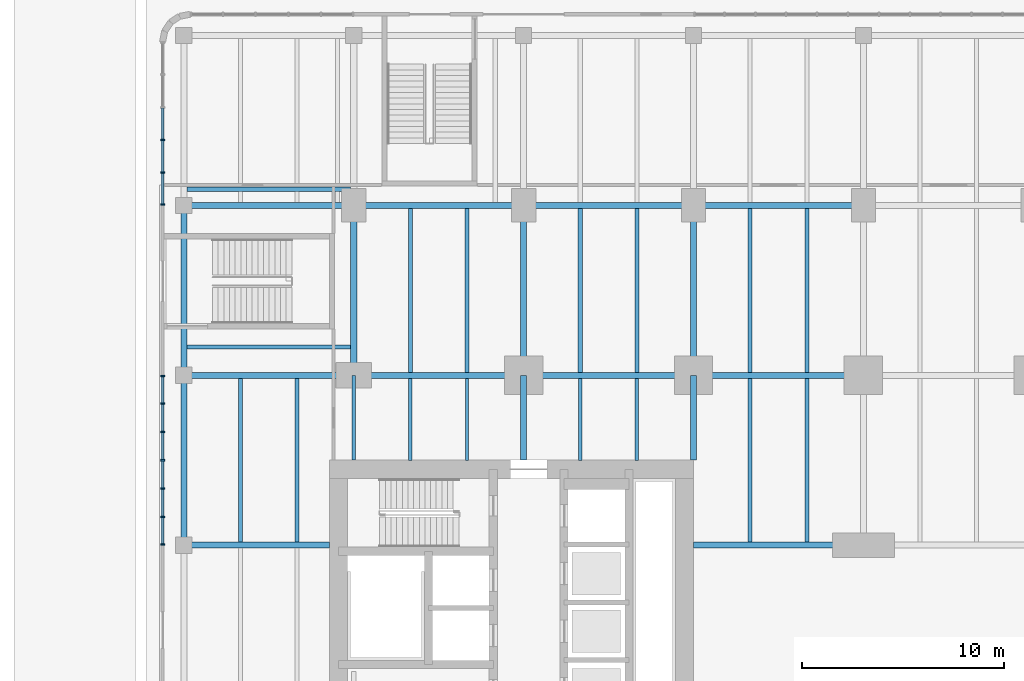
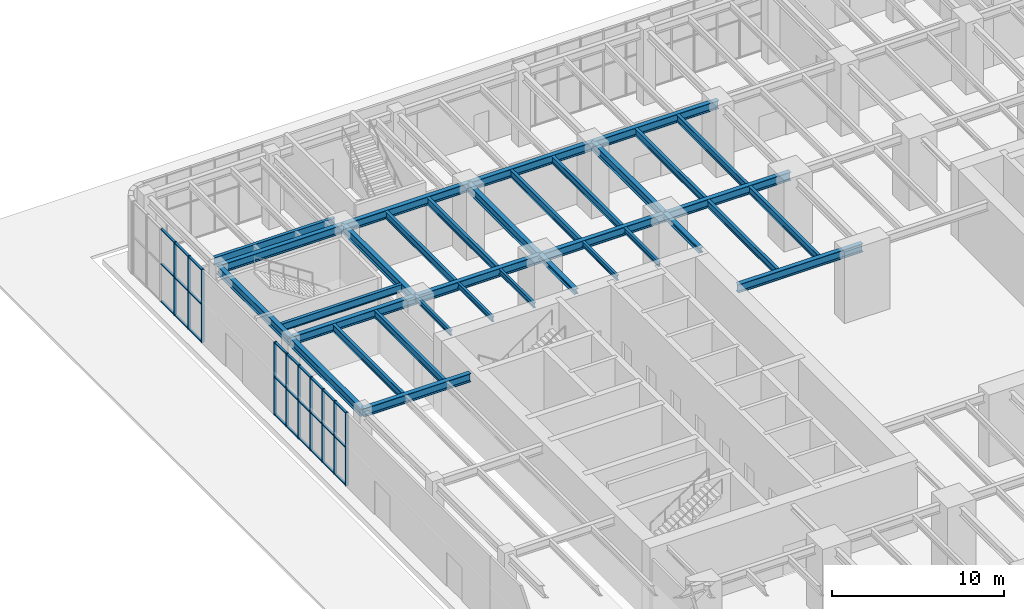
# One storey, part 7 of 31: 37 members, 34 beams, 2 elements without a shape of their own.
"""IFC4 building model written with IfcOpenShell, lengths in metres."""

from ifc_helpers import new_model, si_unit, direction, frame, origin, origin_2d, place, context, subcontext, project, spatial, rectangle, i_section, extrude, material, material_profile, profile_set, type_object, element, aggregate, save


model = new_model("IFC4")

# Units and contexts
model_context = context("Model", 3, precision=1e-05, world=origin(), true_north=direction((0.0, 1.0)))
body_context = subcontext(model_context, "Body", "Model", "MODEL_VIEW")
ifc_project = project(units=[si_unit("LENGTHUNIT", "METRE"), si_unit("AREAUNIT", "SQUARE_METRE"), si_unit("VOLUMEUNIT", "CUBIC_METRE"), si_unit("PLANEANGLEUNIT", "RADIAN"), si_unit("MASSUNIT", "GRAM", prefix="KILO")], contexts=[model_context])

# Site, building, storey
site_placement = place(None, origin())
site = spatial("IfcSite", under=ifc_project, at=site_placement, CompositionType="ELEMENT")
building_placement = place(site_placement, origin())
building = spatial("IfcBuilding", under=site, at=building_placement, Name="Claustro Exchange Tower", CompositionType="ELEMENT")
storey_placement = place(building_placement, origin())
storey = spatial("IfcBuildingStorey", under=building, at=storey_placement, Name="L00", CompositionType="ELEMENT", Elevation=0.0)

# Beams
ifc_material_1 = material(Name="Steel S355", Category="steel")
ifc_material_profile_1 = material_profile(ifc_material_1, i_section(OverallWidth=0.300048828125, OverallDepth=0.60009765625, WebThickness=0.015380859375, FlangeThickness=0.030029296875, FilletRadius=0.027099609375, at=origin_2d()), Name="HE 600 B")
ifc_profile_set_1 = profile_set([ifc_material_profile_1], Name="Steel S355")
beam_type_1 = type_object("IfcBeamType", Name="B1 HE 600 B floor girder", PredefinedType="BEAM", material=ifc_profile_set_1)
for number, where, z_axis, x_axis, name in (
    (1, (-8.39990234375, 33.60009765625, 4.89990234375), (0.0, 1.0, 0.0), (-1.0, 0.0, 0.0), "Beam B1 L01"),
    (2, (-8.39990234375, 42.0, 4.89990234375), (0.0, 1.0, 0.0), (-1.0, 0.0, 0.0), "Beam B1 L01"),
    (3, (0.0, 42.0, 4.89990234375), (0.0, 1.0, 0.0), (-1.0, 0.0, 0.0), "Beam B1 L01"),
    (4, (8.39990234375, 42.0, 4.89990234375), (0.0, 1.0, 0.0), (-1.0, 0.0, 0.0), "Beam B1 L01"),
    (5, (16.800048828125, 42.0, 4.89990234375), (0.0, 1.0, 0.0), (-1.0, 0.0, 0.0), "Beam B1 L01"),
):
    element("IfcBeam", number, at=place(storey_placement, frame(where, z_axis=z_axis, x_axis=x_axis)), inside=storey, type_object=beam_type_1, Name=name, PredefinedType="BEAM", context=body_context, shape_type="SweptSolid", body=[
        extrude(i_section(OverallWidth=0.300048828125, OverallDepth=0.60009765625, WebThickness=0.015380859375, FlangeThickness=0.030029296875, FilletRadius=0.027099609375, at=origin_2d()), origin(), (0.0, 0.0, 1.0), 8.39990234375),
    ])
beam_1_placement = place(storey_placement, frame((-8.39990234375, 33.60009765625, 4.89990234375), z_axis=(1.0, 0.0, 0.0), x_axis=(0.0, 1.0, 0.0)))
element("IfcBeam", 6, at=beam_1_placement, inside=storey, type_object=beam_type_1, Name="Beam B1 L01", PredefinedType="BEAM", context=body_context, shape_type="SweptSolid", body=[
    extrude(i_section(OverallWidth=0.300048828125, OverallDepth=0.60009765625, WebThickness=0.015380859375, FlangeThickness=0.030029296875, FilletRadius=0.027099609375, at=origin_2d()), origin(), (0.0, 0.0, 1.0), 7.199951171875),
])
for number, where, z_axis, x_axis, name in (
    (7, (16.800048828125, 33.60009765625, 4.89990234375), (1.0, 0.0, 0.0), (0.0, 1.0, 0.0), "Beam B1 L01"),
    (8, (-8.39990234375, 42.0, 4.89990234375), (1.0, 0.0, 0.0), (0.0, 1.0, 0.0), "Beam B1 L01"),
    (9, (0.0, 42.0, 4.89990234375), (1.0, 0.0, 0.0), (0.0, 1.0, 0.0), "Beam B1 L01"),
):
    element("IfcBeam", number, at=place(storey_placement, frame(where, z_axis=z_axis, x_axis=x_axis)), inside=storey, type_object=beam_type_1, Name=name, PredefinedType="BEAM", context=body_context, shape_type="SweptSolid", body=[
        extrude(i_section(OverallWidth=0.300048828125, OverallDepth=0.60009765625, WebThickness=0.015380859375, FlangeThickness=0.030029296875, FilletRadius=0.027099609375, at=origin_2d()), origin(), (0.0, 0.0, 1.0), 8.39990234375),
    ])
beam_2_placement = place(storey_placement, frame((8.39990234375, 42.0, 4.89990234375), z_axis=(1.0, 0.0, 0.0), x_axis=(0.0, 1.0, 0.0)))
element("IfcBeam", 10, at=beam_2_placement, inside=storey, type_object=beam_type_1, Name="Beam B1 L01", PredefinedType="BEAM", context=body_context, shape_type="SweptSolid", body=[
    extrude(i_section(OverallWidth=0.300048828125, OverallDepth=0.60009765625, WebThickness=0.015380859375, FlangeThickness=0.030029296875, FilletRadius=0.027099609375, at=origin_2d()), origin(), (0.0, 0.0, 1.0), 8.400146484375),
])
for number, where, z_axis, x_axis, name in (
    (11, (16.800048828125, 42.0, 4.89990234375), (1.0, 0.0, 0.0), (0.0, 1.0, 0.0), "Beam B1 L01"),
    (12, (-8.39990234375, 50.39990234375, 4.89990234375), (1.0, 0.0, 0.0), (0.0, 1.0, 0.0), "Beam B1 L01"),
    (13, (0.0, 50.39990234375, 4.89990234375), (1.0, 0.0, 0.0), (0.0, 1.0, 0.0), "Beam B1 L01"),
):
    element("IfcBeam", number, at=place(storey_placement, frame(where, z_axis=z_axis, x_axis=x_axis)), inside=storey, type_object=beam_type_1, Name=name, PredefinedType="BEAM", context=body_context, shape_type="SweptSolid", body=[
        extrude(i_section(OverallWidth=0.300048828125, OverallDepth=0.60009765625, WebThickness=0.015380859375, FlangeThickness=0.030029296875, FilletRadius=0.027099609375, at=origin_2d()), origin(), (0.0, 0.0, 1.0), 8.39990234375),
    ])
beam_3_placement = place(storey_placement, frame((8.39990234375, 50.39990234375, 4.89990234375), z_axis=(1.0, 0.0, 0.0), x_axis=(0.0, 1.0, 0.0)))
element("IfcBeam", 14, at=beam_3_placement, inside=storey, type_object=beam_type_1, Name="Beam B1 L01", PredefinedType="BEAM", context=body_context, shape_type="SweptSolid", body=[
    extrude(i_section(OverallWidth=0.300048828125, OverallDepth=0.60009765625, WebThickness=0.015380859375, FlangeThickness=0.030029296875, FilletRadius=0.027099609375, at=origin_2d()), origin(), (0.0, 0.0, 1.0), 8.400146484375),
])
beam_4_placement = place(storey_placement, frame((16.800048828125, 50.39990234375, 4.89990234375), z_axis=(1.0, 0.0, 0.0), x_axis=(0.0, 1.0, 0.0)))
element("IfcBeam", 15, at=beam_4_placement, inside=storey, type_object=beam_type_1, Name="Beam B1 L01", PredefinedType="BEAM", context=body_context, shape_type="SweptSolid", body=[
    extrude(i_section(OverallWidth=0.300048828125, OverallDepth=0.60009765625, WebThickness=0.015380859375, FlangeThickness=0.030029296875, FilletRadius=0.027099609375, at=origin_2d()), origin(), (0.0, 0.0, 1.0), 8.39990234375),
])
ifc_material_2 = material(Name="Steel S355", Category="steel")
ifc_material_profile_2 = material_profile(ifc_material_2, i_section(OverallWidth=0.169921875, OverallDepth=0.360107421875, WebThickness=0.008056640625, FlangeThickness=0.0126953125, FilletRadius=0.01806640625, at=origin_2d()), Name="IPE 360")
ifc_profile_set_2 = profile_set([ifc_material_profile_2], Name="Steel S355")
beam_type_2 = type_object("IfcBeamType", Name="B16 IPE 360 short-span beam", PredefinedType="BEAM", material=ifc_profile_set_2)
beam_5_placement = place(storey_placement, frame((0.0, 37.800048828125, 5.02001953125), z_axis=(0.0, 1.0, 0.0), x_axis=(-1.0, 0.0, 0.0)))
element("IfcBeam", 16, at=beam_5_placement, inside=storey, type_object=beam_type_2, Name="Beam B16 L01", PredefinedType="BEAM", context=body_context, shape_type="SweptSolid", body=[
    extrude(i_section(OverallWidth=0.169921875, OverallDepth=0.360107421875, WebThickness=0.008056640625, FlangeThickness=0.0126953125, FilletRadius=0.01806640625, at=origin_2d()), origin(), (0.0, 0.0, 1.0), 4.199951171875),
])
for number, where, z_axis, x_axis, name in (
    (17, (2.800048828125, 37.7900390625, 5.02001953125), (0.0, 1.0, 0.0), (-1.0, 0.0, 0.0), "Beam B16 L01"),
    (18, (5.60009765625, 37.7900390625, 5.02001953125), (0.0, 1.0, 0.0), (-1.0, 0.0, 0.0), "Beam B16 L01"),
    (19, (11.199951171875, 37.7900390625, 5.02001953125), (0.0, 1.0, 0.0), (-1.0, 0.0, 0.0), "Beam B16 L01"),
    (20, (14.0, 37.7900390625, 5.02001953125), (0.0, 1.0, 0.0), (-1.0, 0.0, 0.0), "Beam B16 L01"),
):
    element("IfcBeam", number, at=place(storey_placement, frame(where, z_axis=z_axis, x_axis=x_axis)), inside=storey, type_object=beam_type_2, Name=name, PredefinedType="BEAM", context=body_context, shape_type="SweptSolid", body=[
        extrude(i_section(OverallWidth=0.169921875, OverallDepth=0.360107421875, WebThickness=0.008056640625, FlangeThickness=0.0126953125, FilletRadius=0.01806640625, at=origin_2d()), origin(), (0.0, 0.0, 1.0), 4.06005859375),
    ])
ifc_material_3 = material(Name="Steel S355", Category="steel")
ifc_material_profile_3 = material_profile(ifc_material_3, i_section(OverallWidth=0.199951171875, OverallDepth=0.5, WebThickness=0.01025390625, FlangeThickness=0.01611328125, FilletRadius=0.02099609375, at=origin_2d()), Name="IPE 500")
ifc_profile_set_3 = profile_set([ifc_material_profile_3], Name="Steel S355")
beam_type_3 = type_object("IfcBeamType", Name="B2 IPE 500 secondary beam", PredefinedType="BEAM", material=ifc_profile_set_3)
for number, where, z_axis, x_axis, name in (
    (21, (-5.60009765625, 33.75, 4.949951171875), (0.0, 1.0, 0.0), (-1.0, 0.0, 0.0), "Beam B2 L01"),
    (22, (-2.800048828125, 33.75, 4.949951171875), (0.0, 1.0, 0.0), (-1.0, 0.0, 0.0), "Beam B2 L01"),
    (23, (2.800048828125, 42.14990234375, 4.949951171875), (0.0, 1.0, 0.0), (-1.0, 0.0, 0.0), "Beam B2 L01"),
    (24, (5.60009765625, 42.14990234375, 4.949951171875), (0.0, 1.0, 0.0), (-1.0, 0.0, 0.0), "Beam B2 L01"),
    (25, (11.199951171875, 42.14990234375, 4.949951171875), (0.0, 1.0, 0.0), (-1.0, 0.0, 0.0), "Beam B2 L01"),
    (26, (14.0, 42.14990234375, 4.949951171875), (0.0, 1.0, 0.0), (-1.0, 0.0, 0.0), "Beam B2 L01"),
    (27, (19.60009765625, 33.75, 4.949951171875), (0.0, 1.0, 0.0), (-1.0, 0.0, 0.0), "Beam B2 L01"),
    (28, (22.39990234375, 33.75, 4.949951171875), (0.0, 1.0, 0.0), (-1.0, 0.0, 0.0), "Beam B2 L01"),
    (29, (19.60009765625, 42.14990234375, 4.949951171875), (0.0, 1.0, 0.0), (-1.0, 0.0, 0.0), "Beam B2 L01"),
    (30, (22.39990234375, 42.14990234375, 4.949951171875), (0.0, 1.0, 0.0), (-1.0, 0.0, 0.0), "Beam B2 L01"),
):
    element("IfcBeam", number, at=place(storey_placement, frame(where, z_axis=z_axis, x_axis=x_axis)), inside=storey, type_object=beam_type_3, Name=name, PredefinedType="BEAM", context=body_context, shape_type="SweptSolid", body=[
        extrude(i_section(OverallWidth=0.199951171875, OverallDepth=0.5, WebThickness=0.01025390625, FlangeThickness=0.01611328125, FilletRadius=0.02099609375, at=origin_2d()), origin(), (0.0, 0.0, 1.0), 8.10009765625),
    ])
ifc_material_4 = material(Name="Steel S355", Category="steel")
ifc_material_profile_4 = material_profile(ifc_material_4, i_section(OverallWidth=0.2099609375, OverallDepth=0.550048828125, WebThickness=0.010986328125, FlangeThickness=0.01708984375, FilletRadius=0.02392578125, at=origin_2d()), Name="IPE 550")
ifc_profile_set_4 = profile_set([ifc_material_profile_4], Name="Steel S355")
beam_type_4 = type_object("IfcBeamType", Name="B28 IPE 550 podium stair trimmer", PredefinedType="BEAM", material=ifc_profile_set_4)
for number, where, z_axis, x_axis, name in (
    (31, (-8.25, 43.39990234375, 4.925048828125), (1.0, 0.0, 0.0), (0.0, 1.0, 0.0), "Beam B28 trimmer STP5 L01"),
    (32, (-8.25, 51.199951171875, 4.925048828125), (1.0, 0.0, 0.0), (0.0, 1.0, 0.0), "Beam B28 trimmer STP5 L01"),
):
    element("IfcBeam", number, at=place(storey_placement, frame(where, z_axis=z_axis, x_axis=x_axis)), inside=storey, type_object=beam_type_4, Name=name, PredefinedType="BEAM", context=body_context, shape_type="SweptSolid", body=[
        extrude(i_section(OverallWidth=0.2099609375, OverallDepth=0.550048828125, WebThickness=0.010986328125, FlangeThickness=0.01708984375, FilletRadius=0.02392578125, at=origin_2d()), origin(), (0.0, 0.0, 1.0), 8.10009765625),
    ])
ifc_material_5 = material(Name="Steel S355", Category="steel")
ifc_material_profile_5 = material_profile(ifc_material_5, i_section(OverallWidth=0.300048828125, OverallDepth=0.360107421875, WebThickness=0.012451171875, FlangeThickness=0.0224609375, FilletRadius=0.027099609375, at=origin_2d()), Name="HE 360 B")
ifc_profile_set_5 = profile_set([ifc_material_profile_5], Name="Steel S355")
beam_type_5 = type_object("IfcBeamType", Name="B29 HE 360 B column to core link beam", PredefinedType="BEAM", material=ifc_profile_set_5)
for number, where, z_axis, x_axis, name in (
    (33, (8.39990234375, 37.800048828125, 5.02001953125), (0.0, 1.0, 0.0), (-1.0, 0.0, 0.0), "Beam B29 L01"),
    (34, (16.800048828125, 37.800048828125, 5.02001953125), (0.0, 1.0, 0.0), (-1.0, 0.0, 0.0), "Beam B29 L01"),
):
    element("IfcBeam", number, at=place(storey_placement, frame(where, z_axis=z_axis, x_axis=x_axis)), inside=storey, type_object=beam_type_5, Name=name, PredefinedType="BEAM", context=body_context, shape_type="SweptSolid", body=[
        extrude(i_section(OverallWidth=0.300048828125, OverallDepth=0.360107421875, WebThickness=0.012451171875, FlangeThickness=0.0224609375, FilletRadius=0.027099609375, at=origin_2d()), origin(), (0.0, 0.0, 1.0), 4.199951171875),
    ])

# Curtain wall, members
ifc_material_6 = material(Name="Aluminium frame, clear double glazing", Category="aluminium")
curtain_wall_type = type_object("IfcCurtainWallType", Name="CW1 storefront curtain wall", PredefinedType="USERDEFINED", material=ifc_material_6)
curtain_wall_1_placement = place(storey_placement, origin())
curtain_wall_1 = element("IfcCurtainWall", 35, at=curtain_wall_1_placement, inside=storey, type_object=curtain_wall_type, Name="Curtain wall CW1 L00", ObjectType="STICK CURTAIN WALL", PredefinedType="USERDEFINED")
ifc_material_7 = material(Name="Aluminium mullion", Category="aluminium")
ifc_material_profile_6 = material_profile(ifc_material_7, rectangle(XDim=0.199951171875, YDim=0.074951171875, at=origin_2d()), Name="CW1-M 75x200")
ifc_profile_set_6 = profile_set([ifc_material_profile_6], Name="Aluminium mullion")
member_type_1 = type_object("IfcMemberType", Name="CW1-M 75 x 200 mullion", PredefinedType="MULLION", material=ifc_profile_set_6)
member_1_placement = place(storey_placement, frame((-9.449951171875, 33.637451171875, 0.0), z_axis=(0.0, 0.0, 1.0), x_axis=(-1.0, 0.0, 0.0)))
member_1 = element("IfcMember", 36, at=member_1_placement, type_object=member_type_1, Name="CW1 mullion 1", PredefinedType="MULLION", context=body_context, shape_type="SweptSolid", body=[
    extrude(rectangle(XDim=0.199951171875, YDim=0.074951171875, at=origin_2d()), origin(), (0.0, 0.0, 1.0), 5.199951171875),
])
member_2_placement = place(storey_placement, frame((-9.449951171875, 35.0, 0.0), z_axis=(0.0, 0.0, 1.0), x_axis=(-1.0, 0.0, 0.0)))
member_2 = element("IfcMember", 37, at=member_2_placement, type_object=member_type_1, Name="CW1 mullion 2", PredefinedType="MULLION", context=body_context, shape_type="SweptSolid", body=[
    extrude(rectangle(XDim=0.199951171875, YDim=0.074951171875, at=origin_2d()), origin(), (0.0, 0.0, 1.0), 5.199951171875),
])
member_3_placement = place(storey_placement, frame((-9.449951171875, 36.39990234375, 0.0), z_axis=(0.0, 0.0, 1.0), x_axis=(-1.0, 0.0, 0.0)))
member_3 = element("IfcMember", 38, at=member_3_placement, type_object=member_type_1, Name="CW1 mullion 3", PredefinedType="MULLION", context=body_context, shape_type="SweptSolid", body=[
    extrude(rectangle(XDim=0.199951171875, YDim=0.074951171875, at=origin_2d()), origin(), (0.0, 0.0, 1.0), 5.199951171875),
])
member_4_placement = place(storey_placement, frame((-9.449951171875, 37.800048828125, 0.0), z_axis=(0.0, 0.0, 1.0), x_axis=(-1.0, 0.0, 0.0)))
member_4 = element("IfcMember", 39, at=member_4_placement, type_object=member_type_1, Name="CW1 mullion 4", PredefinedType="MULLION", context=body_context, shape_type="SweptSolid", body=[
    extrude(rectangle(XDim=0.199951171875, YDim=0.074951171875, at=origin_2d()), origin(), (0.0, 0.0, 1.0), 5.199951171875),
])
member_5_placement = place(storey_placement, frame((-9.449951171875, 39.199951171875, 0.0), z_axis=(0.0, 0.0, 1.0), x_axis=(-1.0, 0.0, 0.0)))
member_5 = element("IfcMember", 40, at=member_5_placement, type_object=member_type_1, Name="CW1 mullion 5", PredefinedType="MULLION", context=body_context, shape_type="SweptSolid", body=[
    extrude(rectangle(XDim=0.199951171875, YDim=0.074951171875, at=origin_2d()), origin(), (0.0, 0.0, 1.0), 5.199951171875),
])
member_6_placement = place(storey_placement, frame((-9.449951171875, 40.60009765625, 0.0), z_axis=(0.0, 0.0, 1.0), x_axis=(-1.0, 0.0, 0.0)))
member_6 = element("IfcMember", 41, at=member_6_placement, type_object=member_type_1, Name="CW1 mullion 6", PredefinedType="MULLION", context=body_context, shape_type="SweptSolid", body=[
    extrude(rectangle(XDim=0.199951171875, YDim=0.074951171875, at=origin_2d()), origin(), (0.0, 0.0, 1.0), 5.199951171875),
])
member_7_placement = place(storey_placement, frame((-9.449951171875, 41.96240234375, 0.0), z_axis=(0.0, 0.0, 1.0), x_axis=(-1.0, 0.0, 0.0)))
member_7 = element("IfcMember", 42, at=member_7_placement, type_object=member_type_1, Name="CW1 mullion 7", PredefinedType="MULLION", context=body_context, shape_type="SweptSolid", body=[
    extrude(rectangle(XDim=0.199951171875, YDim=0.074951171875, at=origin_2d()), origin(), (0.0, 0.0, 1.0), 5.199951171875),
])

curtain_wall_2_placement = place(storey_placement, origin())
curtain_wall_2 = element("IfcCurtainWall", 43, at=curtain_wall_2_placement, inside=storey, type_object=curtain_wall_type, Name="Curtain wall CW1 L00", ObjectType="STICK CURTAIN WALL", PredefinedType="USERDEFINED")
member_8_placement = place(storey_placement, frame((-9.449951171875, 50.4375, 0.0), z_axis=(0.0, 0.0, 1.0), x_axis=(-1.0, 0.0, 0.0)))
member_8 = element("IfcMember", 44, at=member_8_placement, type_object=member_type_1, Name="CW1 mullion 1", PredefinedType="MULLION", context=body_context, shape_type="SweptSolid", body=[
    extrude(rectangle(XDim=0.199951171875, YDim=0.074951171875, at=origin_2d()), origin(), (0.0, 0.0, 1.0), 5.199951171875),
])
member_9_placement = place(storey_placement, frame((-9.449951171875, 52.01708984375, 0.0), z_axis=(0.0, 0.0, 1.0), x_axis=(-1.0, 0.0, 0.0)))
member_9 = element("IfcMember", 45, at=member_9_placement, type_object=member_type_1, Name="CW1 mullion 2", PredefinedType="MULLION", context=body_context, shape_type="SweptSolid", body=[
    extrude(rectangle(XDim=0.199951171875, YDim=0.074951171875, at=origin_2d()), origin(), (0.0, 0.0, 1.0), 5.199951171875),
])
member_10_placement = place(storey_placement, frame((-9.449951171875, 53.634033203125, 0.0), z_axis=(0.0, 0.0, 1.0), x_axis=(-1.0, 0.0, 0.0)))
member_10 = element("IfcMember", 46, at=member_10_placement, type_object=member_type_1, Name="CW1 mullion 3", PredefinedType="MULLION", context=body_context, shape_type="SweptSolid", body=[
    extrude(rectangle(XDim=0.199951171875, YDim=0.074951171875, at=origin_2d()), origin(), (0.0, 0.0, 1.0), 5.199951171875),
])

# Member
ifc_material_8 = material(Name="Aluminium transom", Category="aluminium")
ifc_material_profile_7 = material_profile(ifc_material_8, rectangle(XDim=0.14990234375, YDim=0.074951171875, at=origin_2d()), Name="CW1-T 75x150")
ifc_profile_set_7 = profile_set([ifc_material_profile_7], Name="Aluminium transom")
member_type_2 = type_object("IfcMemberType", Name="CW1-T 75 x 150 transom", PredefinedType="USERDEFINED", material=ifc_profile_set_7)
member_11_placement = place(storey_placement, frame((-9.449951171875, 33.675048828125, 0.03759765625), z_axis=(0.0, 1.0, 0.0), x_axis=(-1.0, 0.0, 0.0)))
member_11 = element("IfcMember", 47, at=member_11_placement, type_object=member_type_2, Name="CW1 transom 1.1", ObjectType="TRANSOM", PredefinedType="USERDEFINED", context=body_context, shape_type="SweptSolid", body=[
    extrude(rectangle(XDim=0.14990234375, YDim=0.074951171875, at=origin_2d()), origin(), (0.0, 0.0, 1.0), 1.287353515625),
])

member_12_placement = place(storey_placement, frame((-9.449951171875, 33.675048828125, 2.699951171875), z_axis=(0.0, 1.0, 0.0), x_axis=(-1.0, 0.0, 0.0)))
member_12 = element("IfcMember", 48, at=member_12_placement, type_object=member_type_2, Name="CW1 transom 1.2", ObjectType="TRANSOM", PredefinedType="USERDEFINED", context=body_context, shape_type="SweptSolid", body=[
    extrude(rectangle(XDim=0.14990234375, YDim=0.074951171875, at=origin_2d()), origin(), (0.0, 0.0, 1.0), 1.287353515625),
])

member_13_placement = place(storey_placement, frame((-9.449951171875, 33.675048828125, 5.16259765625), z_axis=(0.0, 1.0, 0.0), x_axis=(-1.0, 0.0, 0.0)))
member_13 = element("IfcMember", 49, at=member_13_placement, type_object=member_type_2, Name="CW1 transom 1.3", ObjectType="TRANSOM", PredefinedType="USERDEFINED", context=body_context, shape_type="SweptSolid", body=[
    extrude(rectangle(XDim=0.14990234375, YDim=0.074951171875, at=origin_2d()), origin(), (0.0, 0.0, 1.0), 1.287353515625),
])

member_14_placement = place(storey_placement, frame((-9.449951171875, 35.03759765625, 0.03759765625), z_axis=(0.0, 1.0, 0.0), x_axis=(-1.0, 0.0, 0.0)))
member_14 = element("IfcMember", 50, at=member_14_placement, type_object=member_type_2, Name="CW1 transom 2.1", ObjectType="TRANSOM", PredefinedType="USERDEFINED", context=body_context, shape_type="SweptSolid", body=[
    extrude(rectangle(XDim=0.14990234375, YDim=0.074951171875, at=origin_2d()), origin(), (0.0, 0.0, 1.0), 1.324951171875),
])

member_15_placement = place(storey_placement, frame((-9.449951171875, 35.03759765625, 2.699951171875), z_axis=(0.0, 1.0, 0.0), x_axis=(-1.0, 0.0, 0.0)))
member_15 = element("IfcMember", 51, at=member_15_placement, type_object=member_type_2, Name="CW1 transom 2.2", ObjectType="TRANSOM", PredefinedType="USERDEFINED", context=body_context, shape_type="SweptSolid", body=[
    extrude(rectangle(XDim=0.14990234375, YDim=0.074951171875, at=origin_2d()), origin(), (0.0, 0.0, 1.0), 1.324951171875),
])

member_16_placement = place(storey_placement, frame((-9.449951171875, 35.03759765625, 5.16259765625), z_axis=(0.0, 1.0, 0.0), x_axis=(-1.0, 0.0, 0.0)))
member_16 = element("IfcMember", 52, at=member_16_placement, type_object=member_type_2, Name="CW1 transom 2.3", ObjectType="TRANSOM", PredefinedType="USERDEFINED", context=body_context, shape_type="SweptSolid", body=[
    extrude(rectangle(XDim=0.14990234375, YDim=0.074951171875, at=origin_2d()), origin(), (0.0, 0.0, 1.0), 1.324951171875),
])

member_17_placement = place(storey_placement, frame((-9.449951171875, 36.4375, 0.03759765625), z_axis=(0.0, 1.0, 0.0), x_axis=(-1.0, 0.0, 0.0)))
member_17 = element("IfcMember", 53, at=member_17_placement, type_object=member_type_2, Name="CW1 transom 3.1", ObjectType="TRANSOM", PredefinedType="USERDEFINED", context=body_context, shape_type="SweptSolid", body=[
    extrude(rectangle(XDim=0.14990234375, YDim=0.074951171875, at=origin_2d()), origin(), (0.0, 0.0, 1.0), 1.324951171875),
])

member_18_placement = place(storey_placement, frame((-9.449951171875, 36.4375, 2.699951171875), z_axis=(0.0, 1.0, 0.0), x_axis=(-1.0, 0.0, 0.0)))
member_18 = element("IfcMember", 54, at=member_18_placement, type_object=member_type_2, Name="CW1 transom 3.2", ObjectType="TRANSOM", PredefinedType="USERDEFINED", context=body_context, shape_type="SweptSolid", body=[
    extrude(rectangle(XDim=0.14990234375, YDim=0.074951171875, at=origin_2d()), origin(), (0.0, 0.0, 1.0), 1.324951171875),
])

member_19_placement = place(storey_placement, frame((-9.449951171875, 36.4375, 5.16259765625), z_axis=(0.0, 1.0, 0.0), x_axis=(-1.0, 0.0, 0.0)))
member_19 = element("IfcMember", 55, at=member_19_placement, type_object=member_type_2, Name="CW1 transom 3.3", ObjectType="TRANSOM", PredefinedType="USERDEFINED", context=body_context, shape_type="SweptSolid", body=[
    extrude(rectangle(XDim=0.14990234375, YDim=0.074951171875, at=origin_2d()), origin(), (0.0, 0.0, 1.0), 1.324951171875),
])

member_20_placement = place(storey_placement, frame((-9.449951171875, 37.83740234375, 0.03759765625), z_axis=(0.0, 1.0, 0.0), x_axis=(-1.0, 0.0, 0.0)))
member_20 = element("IfcMember", 56, at=member_20_placement, type_object=member_type_2, Name="CW1 transom 4.1", ObjectType="TRANSOM", PredefinedType="USERDEFINED", context=body_context, shape_type="SweptSolid", body=[
    extrude(rectangle(XDim=0.14990234375, YDim=0.074951171875, at=origin_2d()), origin(), (0.0, 0.0, 1.0), 1.3251953125),
])

member_21_placement = place(storey_placement, frame((-9.449951171875, 37.83740234375, 2.699951171875), z_axis=(0.0, 1.0, 0.0), x_axis=(-1.0, 0.0, 0.0)))
member_21 = element("IfcMember", 57, at=member_21_placement, type_object=member_type_2, Name="CW1 transom 4.2", ObjectType="TRANSOM", PredefinedType="USERDEFINED", context=body_context, shape_type="SweptSolid", body=[
    extrude(rectangle(XDim=0.14990234375, YDim=0.074951171875, at=origin_2d()), origin(), (0.0, 0.0, 1.0), 1.3251953125),
])

member_22_placement = place(storey_placement, frame((-9.449951171875, 37.83740234375, 5.16259765625), z_axis=(0.0, 1.0, 0.0), x_axis=(-1.0, 0.0, 0.0)))
member_22 = element("IfcMember", 58, at=member_22_placement, type_object=member_type_2, Name="CW1 transom 4.3", ObjectType="TRANSOM", PredefinedType="USERDEFINED", context=body_context, shape_type="SweptSolid", body=[
    extrude(rectangle(XDim=0.14990234375, YDim=0.074951171875, at=origin_2d()), origin(), (0.0, 0.0, 1.0), 1.3251953125),
])

member_23_placement = place(storey_placement, frame((-9.449951171875, 39.237548828125, 0.03759765625), z_axis=(0.0, 1.0, 0.0), x_axis=(-1.0, 0.0, 0.0)))
member_23 = element("IfcMember", 59, at=member_23_placement, type_object=member_type_2, Name="CW1 transom 5.1", ObjectType="TRANSOM", PredefinedType="USERDEFINED", context=body_context, shape_type="SweptSolid", body=[
    extrude(rectangle(XDim=0.14990234375, YDim=0.074951171875, at=origin_2d()), origin(), (0.0, 0.0, 1.0), 1.324951171875),
])

member_24_placement = place(storey_placement, frame((-9.449951171875, 39.237548828125, 2.699951171875), z_axis=(0.0, 1.0, 0.0), x_axis=(-1.0, 0.0, 0.0)))
member_24 = element("IfcMember", 60, at=member_24_placement, type_object=member_type_2, Name="CW1 transom 5.2", ObjectType="TRANSOM", PredefinedType="USERDEFINED", context=body_context, shape_type="SweptSolid", body=[
    extrude(rectangle(XDim=0.14990234375, YDim=0.074951171875, at=origin_2d()), origin(), (0.0, 0.0, 1.0), 1.324951171875),
])

member_25_placement = place(storey_placement, frame((-9.449951171875, 39.237548828125, 5.16259765625), z_axis=(0.0, 1.0, 0.0), x_axis=(-1.0, 0.0, 0.0)))
member_25 = element("IfcMember", 61, at=member_25_placement, type_object=member_type_2, Name="CW1 transom 5.3", ObjectType="TRANSOM", PredefinedType="USERDEFINED", context=body_context, shape_type="SweptSolid", body=[
    extrude(rectangle(XDim=0.14990234375, YDim=0.074951171875, at=origin_2d()), origin(), (0.0, 0.0, 1.0), 1.324951171875),
])

member_26_placement = place(storey_placement, frame((-9.449951171875, 40.637451171875, 0.03759765625), z_axis=(0.0, 1.0, 0.0), x_axis=(-1.0, 0.0, 0.0)))
member_26 = element("IfcMember", 62, at=member_26_placement, type_object=member_type_2, Name="CW1 transom 6.1", ObjectType="TRANSOM", PredefinedType="USERDEFINED", context=body_context, shape_type="SweptSolid", body=[
    extrude(rectangle(XDim=0.14990234375, YDim=0.074951171875, at=origin_2d()), origin(), (0.0, 0.0, 1.0), 1.28759765625),
])

member_27_placement = place(storey_placement, frame((-9.449951171875, 40.637451171875, 2.699951171875), z_axis=(0.0, 1.0, 0.0), x_axis=(-1.0, 0.0, 0.0)))
member_27 = element("IfcMember", 63, at=member_27_placement, type_object=member_type_2, Name="CW1 transom 6.2", ObjectType="TRANSOM", PredefinedType="USERDEFINED", context=body_context, shape_type="SweptSolid", body=[
    extrude(rectangle(XDim=0.14990234375, YDim=0.074951171875, at=origin_2d()), origin(), (0.0, 0.0, 1.0), 1.28759765625),
])

member_28_placement = place(storey_placement, frame((-9.449951171875, 40.637451171875, 5.16259765625), z_axis=(0.0, 1.0, 0.0), x_axis=(-1.0, 0.0, 0.0)))
member_28 = element("IfcMember", 64, at=member_28_placement, type_object=member_type_2, Name="CW1 transom 6.3", ObjectType="TRANSOM", PredefinedType="USERDEFINED", context=body_context, shape_type="SweptSolid", body=[
    extrude(rectangle(XDim=0.14990234375, YDim=0.074951171875, at=origin_2d()), origin(), (0.0, 0.0, 1.0), 1.28759765625),
])

aggregate(curtain_wall_1, [member_1, member_2, member_3, member_4, member_5, member_6, member_7, member_11, member_12, member_13, member_14, member_15, member_16, member_17, member_18, member_19, member_20, member_21, member_22, member_23, member_24, member_25, member_26, member_27, member_28])

member_29_placement = place(storey_placement, frame((-9.449951171875, 50.47509765625, 0.03759765625), z_axis=(0.0, 1.0, 0.0), x_axis=(-1.0, 0.0, 0.0)))
member_29 = element("IfcMember", 65, at=member_29_placement, type_object=member_type_2, Name="CW1 transom 1.1", ObjectType="TRANSOM", PredefinedType="USERDEFINED", context=body_context, shape_type="SweptSolid", body=[
    extrude(rectangle(XDim=0.14990234375, YDim=0.074951171875, at=origin_2d()), origin(), (0.0, 0.0, 1.0), 1.50439453125),
])

member_30_placement = place(storey_placement, frame((-9.449951171875, 50.47509765625, 2.699951171875), z_axis=(0.0, 1.0, 0.0), x_axis=(-1.0, 0.0, 0.0)))
member_30 = element("IfcMember", 66, at=member_30_placement, type_object=member_type_2, Name="CW1 transom 1.2", ObjectType="TRANSOM", PredefinedType="USERDEFINED", context=body_context, shape_type="SweptSolid", body=[
    extrude(rectangle(XDim=0.14990234375, YDim=0.074951171875, at=origin_2d()), origin(), (0.0, 0.0, 1.0), 1.50439453125),
])

member_31_placement = place(storey_placement, frame((-9.449951171875, 50.47509765625, 5.16259765625), z_axis=(0.0, 1.0, 0.0), x_axis=(-1.0, 0.0, 0.0)))
member_31 = element("IfcMember", 67, at=member_31_placement, type_object=member_type_2, Name="CW1 transom 1.3", ObjectType="TRANSOM", PredefinedType="USERDEFINED", context=body_context, shape_type="SweptSolid", body=[
    extrude(rectangle(XDim=0.14990234375, YDim=0.074951171875, at=origin_2d()), origin(), (0.0, 0.0, 1.0), 1.50439453125),
])

member_32_placement = place(storey_placement, frame((-9.449951171875, 52.054443359375, 0.03759765625), z_axis=(0.0, 1.0, 0.0), x_axis=(-1.0, 0.0, 0.0)))
member_32 = element("IfcMember", 68, at=member_32_placement, type_object=member_type_2, Name="CW1 transom 2.1", ObjectType="TRANSOM", PredefinedType="USERDEFINED", context=body_context, shape_type="SweptSolid", body=[
    extrude(rectangle(XDim=0.14990234375, YDim=0.074951171875, at=origin_2d()), origin(), (0.0, 0.0, 1.0), 1.542236328125),
])

member_33_placement = place(storey_placement, frame((-9.449951171875, 52.054443359375, 2.699951171875), z_axis=(0.0, 1.0, 0.0), x_axis=(-1.0, 0.0, 0.0)))
member_33 = element("IfcMember", 69, at=member_33_placement, type_object=member_type_2, Name="CW1 transom 2.2", ObjectType="TRANSOM", PredefinedType="USERDEFINED", context=body_context, shape_type="SweptSolid", body=[
    extrude(rectangle(XDim=0.14990234375, YDim=0.074951171875, at=origin_2d()), origin(), (0.0, 0.0, 1.0), 1.542236328125),
])

member_34_placement = place(storey_placement, frame((-9.449951171875, 52.054443359375, 5.16259765625), z_axis=(0.0, 1.0, 0.0), x_axis=(-1.0, 0.0, 0.0)))
member_34 = element("IfcMember", 70, at=member_34_placement, type_object=member_type_2, Name="CW1 transom 2.3", ObjectType="TRANSOM", PredefinedType="USERDEFINED", context=body_context, shape_type="SweptSolid", body=[
    extrude(rectangle(XDim=0.14990234375, YDim=0.074951171875, at=origin_2d()), origin(), (0.0, 0.0, 1.0), 1.542236328125),
])

member_35_placement = place(storey_placement, frame((-9.449951171875, 53.671630859375, 0.03759765625), z_axis=(0.0, 1.0, 0.0), x_axis=(-1.0, 0.0, 0.0)))
member_35 = element("IfcMember", 71, at=member_35_placement, type_object=member_type_2, Name="CW1 transom 3.1", ObjectType="TRANSOM", PredefinedType="USERDEFINED", context=body_context, shape_type="SweptSolid", body=[
    extrude(rectangle(XDim=0.14990234375, YDim=0.074951171875, at=origin_2d()), origin(), (0.0, 0.0, 1.0), 1.5419921875),
])

member_36_placement = place(storey_placement, frame((-9.449951171875, 53.671630859375, 2.699951171875), z_axis=(0.0, 1.0, 0.0), x_axis=(-1.0, 0.0, 0.0)))
member_36 = element("IfcMember", 72, at=member_36_placement, type_object=member_type_2, Name="CW1 transom 3.2", ObjectType="TRANSOM", PredefinedType="USERDEFINED", context=body_context, shape_type="SweptSolid", body=[
    extrude(rectangle(XDim=0.14990234375, YDim=0.074951171875, at=origin_2d()), origin(), (0.0, 0.0, 1.0), 1.5419921875),
])

member_37_placement = place(storey_placement, frame((-9.449951171875, 53.671630859375, 5.16259765625), z_axis=(0.0, 1.0, 0.0), x_axis=(-1.0, 0.0, 0.0)))
member_37 = element("IfcMember", 73, at=member_37_placement, type_object=member_type_2, Name="CW1 transom 3.3", ObjectType="TRANSOM", PredefinedType="USERDEFINED", context=body_context, shape_type="SweptSolid", body=[
    extrude(rectangle(XDim=0.14990234375, YDim=0.074951171875, at=origin_2d()), origin(), (0.0, 0.0, 1.0), 1.5419921875),
])

aggregate(curtain_wall_2, [member_8, member_9, member_10, member_29, member_30, member_31, member_32, member_33, member_34, member_35, member_36, member_37])

save(model, "model.ifc")
